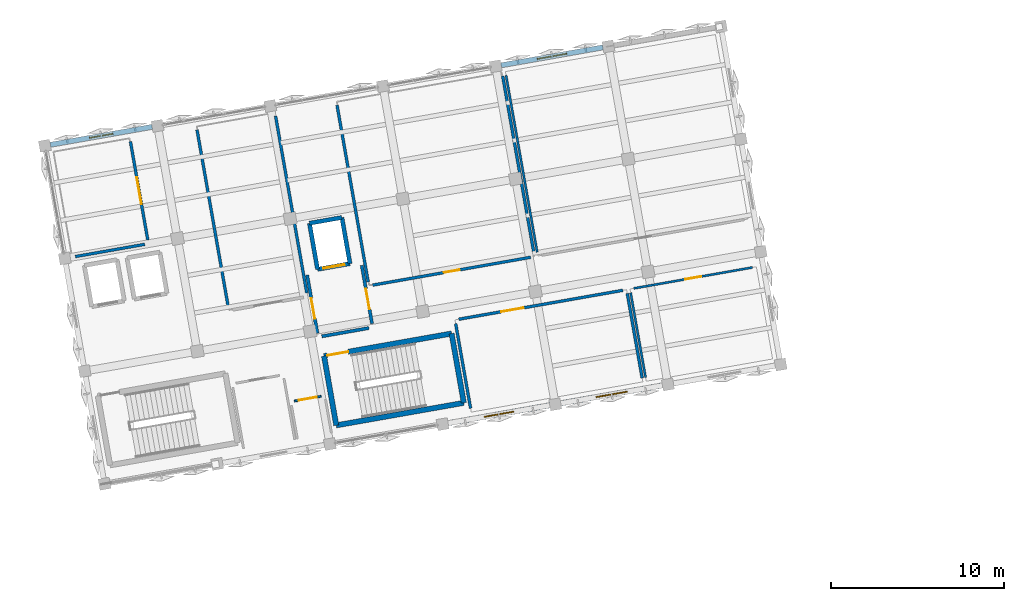
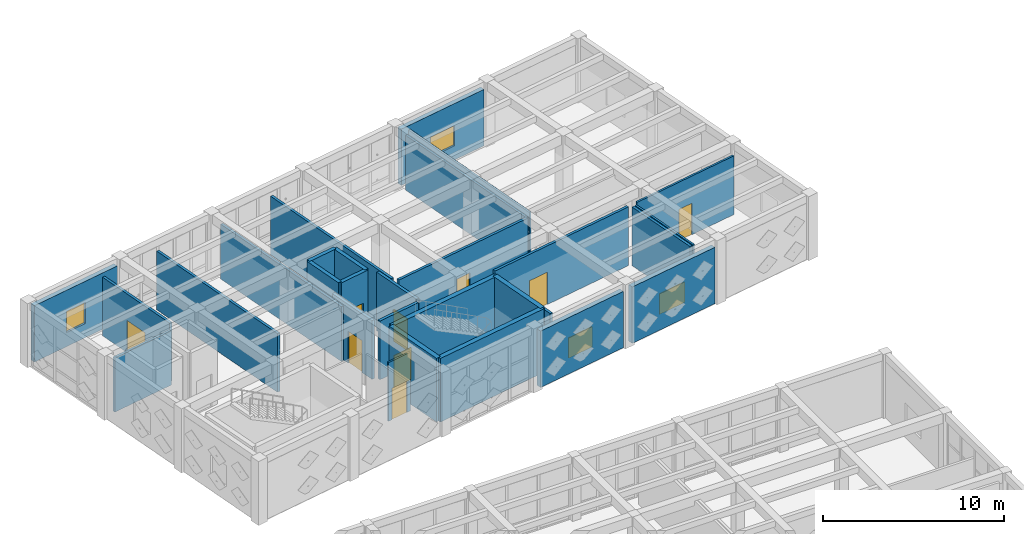
# One storey, part 38 of 48: 29 walls, 9 doors, 4 windows, 13 openings.
"""IFC4 building model written with IfcOpenShell, lengths in metres."""

from ifc_helpers import new_model, si_unit, direction, frame, frame_2d, origin, place, context, subcontext, project, spatial, rectangle, extrude, material, layer, layer_set, type_object, element, fill, save


model = new_model("IFC4")

# Units and contexts
model_context = context("Model", 3, precision=1e-05, world=origin(), true_north=direction((0.0, 1.0)))
body_context = subcontext(model_context, "Body", "Model", "MODEL_VIEW")
ifc_project = project(units=[si_unit("LENGTHUNIT", "METRE"), si_unit("AREAUNIT", "SQUARE_METRE"), si_unit("VOLUMEUNIT", "CUBIC_METRE"), si_unit("PLANEANGLEUNIT", "RADIAN"), si_unit("MASSUNIT", "GRAM", prefix="KILO")], contexts=[model_context])

# Site, building, storey
site_placement = place(None, origin())
site = spatial("IfcSite", under=ifc_project, at=site_placement, CompositionType="ELEMENT")
building_placement = place(site_placement, origin())
building = spatial("IfcBuilding", under=site, at=building_placement, Name="Kharisveld Research Institute", CompositionType="ELEMENT")
storey_placement = place(building_placement, frame((0.0, 0.0, 14.10009765625)))
storey = spatial("IfcBuildingStorey", under=building, at=storey_placement, Name="L03", CompositionType="ELEMENT", Elevation=14.10009765625)

# Walls
ifc_material_1 = material(Name="Concrete C40/50", Category="concrete")
ifc_layer_1 = layer(ifc_material_1, 0.239990234375)
ifc_layer_set_1 = layer_set([ifc_layer_1], Name="WL_CORE_240")
wall_type_1 = type_object("IfcWallType", Name="WL_CORE_240", PredefinedType="SHEAR", material=ifc_layer_set_1)
wall_1_placement = place(storey_placement, frame((17.48828125, 47.3818359375, 0.0), z_axis=(0.0, 0.0, 1.0), x_axis=(-0.173615102578, 0.98481358447, 0.0)))
element("IfcWall", 1, at=wall_1_placement, inside=storey, type_object=wall_type_1, Name="WL:LFT:FFL-01:L03:W", PredefinedType="SHEAR", context=body_context, shape_type="SweptSolid", body=[
    extrude(rectangle(XDim=2.699951171875, YDim=0.239990234375, at=frame_2d((1.35009765625, 0.0))), origin(), (0.0, 0.0, 1.0), 4.27978515625),
])
wall_2_placement = place(storey_placement, frame((17.01953125, 50.040771484375, 0.0), z_axis=(0.0, 0.0, 1.0), x_axis=(0.984815882103, 0.173602068988, 0.0)))
element("IfcWall", 2, at=wall_2_placement, inside=storey, type_object=wall_type_1, Name="WL:LFT:FFL-01:L03:N", PredefinedType="SHEAR", context=body_context, shape_type="SweptSolid", body=[
    extrude(rectangle(XDim=1.89990234375, YDim=0.239990234375, at=frame_2d((0.949951171875, 0.0))), origin(), (0.0, 0.0, 1.0), 4.27978515625),
])
wall_3_placement = place(storey_placement, frame((18.890625, 50.37060546875, 0.0), z_axis=(0.0, 0.0, 1.0), x_axis=(0.173615102578, -0.98481358447, 0.0)))
element("IfcWall", 3, at=wall_3_placement, inside=storey, type_object=wall_type_1, Name="WL:LFT:FFL-01:L03:E", PredefinedType="SHEAR", context=body_context, shape_type="SweptSolid", body=[
    extrude(rectangle(XDim=2.699951171875, YDim=0.239990234375, at=frame_2d((1.35009765625, 0.0))), origin(), (0.0, 0.0, 1.0), 4.27978515625),
])

# Wall, opening, door
wall_4_placement = place(storey_placement, frame((19.359375, 47.711669921875, 0.0), z_axis=(0.0, 0.0, 1.0), x_axis=(-0.984815882103, -0.173602068988, 0.0)))
wall_4 = element("IfcWall", 4, at=wall_4_placement, inside=storey, type_object=wall_type_1, Name="WL:LFT:FFL-01:L03:S", PredefinedType="SHEAR", context=body_context, shape_type="SweptSolid", body=[
    extrude(rectangle(XDim=1.89990234375, YDim=0.239990234375, at=frame_2d((0.949951171875, 0.0))), origin(), (0.0, 0.0, 1.0), 4.27978515625),
])
opening_1_placement = place(wall_4_placement, frame((0.324951171875, 0.0, 0.0)))
opening_1 = element("IfcOpeningElement", 5, at=opening_1_placement, cuts=wall_4, Name="Opening LD-02", PredefinedType="OPENING", context=body_context, shape_type="SweptSolid", body=[
    extrude(rectangle(XDim=1.25, YDim=2.199951171875, at=frame_2d((0.625, 1.10009765625))), frame((0.0, 0.1201171875, 0.0), z_axis=(0.0, -1.0, 0.0), x_axis=(1.0, 0.0, 0.0)), (0.0, 0.0, 1.0), 0.239990234375),
])
ifc_material_2 = material(Name="Flush Painted Hardwood and Anodised Aluminium", Category="wood")
door_type_1 = type_object("IfcDoorType", Name="DR_LFT_125", OperationType="SLIDING_TO_RIGHT", PredefinedType="DOOR", material=ifc_material_2)
door_1_placement = place(opening_1_placement, origin())
door_1 = element("IfcDoor", 6, at=door_1_placement, inside=storey, type_object=door_type_1, Name="FFL-01 Lift Landing Door L03", OperationType="SLIDING_TO_RIGHT", OverallHeight=2.199951171875, OverallWidth=1.25, PredefinedType="DOOR", context=body_context, shape_type="SweptSolid", body=[
    extrude(rectangle(XDim=1.25, YDim=2.199951171875, at=frame_2d((0.625, 1.10009765625))), frame((0.0, 0.02490234375, 0.0), z_axis=(0.0, -1.0, 0.0), x_axis=(1.0, 0.0, 0.0)), (0.0, 0.0, 1.0), 0.050048828125),
])
fill(opening_1, door_1)

# Wall
ifc_material_3 = material(Name="Concrete C40/50", Category="concrete")
ifc_layer_2 = layer(ifc_material_3, 0.300048828125)
ifc_layer_set_2 = layer_set([ifc_layer_2], Name="WL_CORE_300")
wall_type_2 = type_object("IfcWallType", Name="WL_CORE_300", PredefinedType="SHEAR", material=ifc_layer_set_2)
wall_5_placement = place(storey_placement, frame((18.5673828125, 38.382568359375, 0.0), z_axis=(0.0, 0.0, 1.0), x_axis=(-0.173606946886, 0.984815022221, 0.0)))
element("IfcWall", 7, at=wall_5_placement, inside=storey, type_object=wall_type_2, Name="WL:STR:ST2:L03:W", PredefinedType="SHEAR", context=body_context, shape_type="SweptSolid", body=[
    extrude(rectangle(XDim=4.06005859375, YDim=0.300048828125, at=frame_2d((2.030029296875, 0.0))), origin(), (0.0, 0.0, 1.0), 4.27978515625),
])

# Wall, opening, door
wall_6_placement = place(storey_placement, frame((17.862548828125, 42.380859375, 0.0), z_axis=(0.0, 0.0, 1.0), x_axis=(0.984808225754, 0.173645496596, 0.0)))
wall_6 = element("IfcWall", 8, at=wall_6_placement, inside=storey, type_object=wall_type_2, Name="WL:STR:ST2:L03:N", PredefinedType="SHEAR", context=body_context, shape_type="SweptSolid", body=[
    extrude(rectangle(XDim=7.469970703125, YDim=0.300048828125, at=frame_2d((3.73486328125, 0.0))), origin(), (0.0, 0.0, 1.0), 4.27978515625),
])
opening_2_placement = place(wall_6_placement, frame((0.179931640625, 0.0, 0.0)))
opening_2 = element("IfcOpeningElement", 9, at=opening_2_placement, cuts=wall_6, Name="Opening DS-018", PredefinedType="OPENING", context=body_context, shape_type="SweptSolid", body=[
    extrude(rectangle(XDim=1.239990234375, YDim=2.14990234375, at=frame_2d((0.6201171875, 1.074951171875))), frame((0.0, 0.14990234375, 0.0), z_axis=(0.0, -1.0, 0.0), x_axis=(1.0, 0.0, 0.0)), (0.0, 0.0, 1.0), 0.300048828125),
])
ifc_material_4 = material(Name="Flush Painted Hardwood and Anodised Aluminium", Category="wood")
door_type_2 = type_object("IfcDoorType", Name="DR_FD60_124", OperationType="NOTDEFINED", PredefinedType="DOOR", material=ifc_material_4)
door_2_placement = place(opening_2_placement, origin())
door_2 = element("IfcDoor", 10, at=door_2_placement, inside=storey, type_object=door_type_2, Name="DR:STR:ST2:L03", OperationType="SINGLE_SWING_LEFT", OverallHeight=2.14990234375, OverallWidth=1.239990234375, PredefinedType="DOOR", context=body_context, shape_type="SweptSolid", body=[
    extrude(rectangle(XDim=1.239990234375, YDim=2.14990234375, at=frame_2d((0.6201171875, 1.074951171875))), frame((0.0, 0.02490234375, 0.0), z_axis=(0.0, -1.0, 0.0), x_axis=(1.0, 0.0, 0.0)), (0.0, 0.0, 1.0), 0.050048828125),
])
fill(opening_2, door_2)

# Walls
wall_7_placement = place(storey_placement, frame((25.218994140625, 43.677978515625, 0.0), z_axis=(0.0, 0.0, 1.0), x_axis=(0.173665267602, -0.984804739443, 0.0)))
element("IfcWall", 11, at=wall_7_placement, inside=storey, type_object=wall_type_2, Name="WL:STR:ST2:L03:E", PredefinedType="SHEAR", context=body_context, shape_type="SweptSolid", body=[
    extrude(rectangle(XDim=4.06005859375, YDim=0.300048828125, at=frame_2d((2.030029296875, 0.0))), origin(), (0.0, 0.0, 1.0), 4.27978515625),
])
wall_8_placement = place(storey_placement, frame((25.924072265625, 39.6796875, 0.0), z_axis=(0.0, 0.0, 1.0), x_axis=(-0.984809211193, -0.173639907711, 0.0)))
element("IfcWall", 12, at=wall_8_placement, inside=storey, type_object=wall_type_2, Name="WL:STR:ST2:L03:S", PredefinedType="SHEAR", context=body_context, shape_type="SweptSolid", body=[
    extrude(rectangle(XDim=7.47021484375, YDim=0.300048828125, at=frame_2d((3.735107421875, 0.0))), origin(), (0.0, 0.0, 1.0), 4.27978515625),
])

# Wall, opening, window
ifc_material_5 = material(Name="Precast Concrete C40/50 Thermal Wall", Category="concrete")
ifc_layer_3 = layer(ifc_material_5, 0.2900390625)
ifc_layer_set_3 = layer_set([ifc_layer_3], Name="WL_EXT_290")
wall_type_3 = type_object("IfcWallType", Name="WL_EXT_290", PredefinedType="STANDARD", material=ifc_layer_set_3)
wall_9_placement = place(storey_placement, frame((2.076904296875, 54.564697265625, 0.0), z_axis=(0.0, 0.0, 1.0), x_axis=(0.98480829201, 0.173645120828, 0.0)))
wall_9 = element("IfcWall", 13, at=wall_9_placement, inside=storey, type_object=wall_type_3, Name="WL:V1:L03:N0", PredefinedType="STANDARD", context=body_context, shape_type="SweptSolid", body=[
    extrude(rectangle(XDim=5.9599609375, YDim=0.2900390625, at=frame_2d((2.97998046875, 0.0))), origin(), (0.0, 0.0, 1.0), 3.794921875),
])
opening_3_placement = place(wall_9_placement, frame((2.294921875, 0.0, 0.949951171875)))
opening_3 = element("IfcOpeningElement", 14, at=opening_3_placement, cuts=wall_9, Name="Opening WN-23", PredefinedType="OPENING", context=body_context, shape_type="SweptSolid", body=[
    extrude(rectangle(XDim=1.3701171875, YDim=1.419921875, at=frame_2d((0.68505859375, 0.7099609375))), frame((0.0, 0.14501953125, 0.0), z_axis=(0.0, -1.0, 0.0), x_axis=(1.0, 0.0, 0.0)), (0.0, 0.0, 1.0), 0.2900390625),
])
ifc_material_6 = material(Name="Low-E Double Glazing", Category="glass")
window_type_1 = type_object("IfcWindowType", Name="WN_23", PartitioningType="DOUBLE_PANEL_VERTICAL", PredefinedType="WINDOW", material=ifc_material_6)
window_1_placement = place(opening_3_placement, origin())
window_1 = element("IfcWindow", 15, at=window_1_placement, inside=storey, type_object=window_type_1, Name="WN:V1:L03:N0", OverallHeight=1.419921875, OverallWidth=1.3701171875, PartitioningType="SINGLE_PANEL", PredefinedType="WINDOW", context=body_context, shape_type="SweptSolid", body=[
    extrude(rectangle(XDim=1.3701171875, YDim=1.419921875, at=frame_2d((0.68505859375, 0.7099609375))), frame((0.0, 0.030029296875, 0.0), z_axis=(0.0, -1.0, 0.0), x_axis=(1.0, 0.0, 0.0)), (0.0, 0.0, 1.0), 0.06005859375),
])
fill(opening_3, window_1)

wall_10_placement = place(storey_placement, frame((28.075927734375, 59.149169921875, 0.0), z_axis=(0.0, 0.0, 1.0), x_axis=(0.98480829201, 0.173645120828, 0.0)))
wall_10 = element("IfcWall", 16, at=wall_10_placement, inside=storey, type_object=wall_type_3, Name="WL:V1:L03:N4", PredefinedType="STANDARD", context=body_context, shape_type="SweptSolid", body=[
    extrude(rectangle(XDim=5.9599609375, YDim=0.2900390625, at=frame_2d((2.97998046875, 0.0))), origin(), (0.0, 0.0, 1.0), 3.794921875),
])
opening_4_placement = place(wall_10_placement, frame((2.114990234375, 0.0, 0.949951171875)))
opening_4 = element("IfcOpeningElement", 17, at=opening_4_placement, cuts=wall_10, Name="Opening WN-27", PredefinedType="OPENING", context=body_context, shape_type="SweptSolid", body=[
    extrude(rectangle(XDim=1.72998046875, YDim=1.360107421875, at=frame_2d((0.864990234375, 0.68017578125))), frame((0.0, 0.14501953125, 0.0), z_axis=(0.0, -1.0, 0.0), x_axis=(1.0, 0.0, 0.0)), (0.0, 0.0, 1.0), 0.2900390625),
])
ifc_material_7 = material(Name="Low-E Double Glazing", Category="glass")
window_type_2 = type_object("IfcWindowType", Name="WN_27", PartitioningType="DOUBLE_PANEL_VERTICAL", PredefinedType="WINDOW", material=ifc_material_7)
window_2_placement = place(opening_4_placement, origin())
window_2 = element("IfcWindow", 18, at=window_2_placement, inside=storey, type_object=window_type_2, Name="WN:V1:L03:N4", OverallHeight=1.360107421875, OverallWidth=1.72998046875, PartitioningType="SINGLE_PANEL", PredefinedType="WINDOW", context=body_context, shape_type="SweptSolid", body=[
    extrude(rectangle(XDim=1.72998046875, YDim=1.360107421875, at=frame_2d((0.864990234375, 0.68017578125))), frame((0.0, 0.030029296875, 0.0), z_axis=(0.0, -1.0, 0.0), x_axis=(1.0, 0.0, 0.0)), (0.0, 0.0, 1.0), 0.06005859375),
])
fill(opening_4, window_2)

ifc_material_8 = material(Name="Precast Concrete C40/50 Ochre Panel", Category="concrete")
ifc_layer_4 = layer(ifc_material_8, 0.304931640625)
ifc_layer_set_4 = layer_set([ifc_layer_4], Name="WL_EXT_305")
wall_type_4 = type_object("IfcWallType", Name="WL_EXT_305", PredefinedType="STANDARD", material=ifc_layer_set_4)
wall_11_placement = place(storey_placement, frame((37.383544921875, 40.684814453125, 0.0), z_axis=(0.0, 0.0, 1.0), x_axis=(-0.98480829201, -0.173645120828, 0.0)))
wall_11 = element("IfcWall", 19, at=wall_11_placement, inside=storey, type_object=wall_type_4, Name="WL:V1:L03:S5", PredefinedType="STANDARD", context=body_context, shape_type="SweptSolid", body=[
    extrude(rectangle(XDim=5.9599609375, YDim=0.304931640625, at=frame_2d((2.97998046875, 0.0))), origin(), (0.0, 0.0, 1.0), 3.794921875),
])
opening_5_placement = place(wall_11_placement, frame((2.070068359375, 0.0, 0.949951171875)))
opening_5 = element("IfcOpeningElement", 20, at=opening_5_placement, cuts=wall_11, Name="Opening WN-28", PredefinedType="OPENING", context=body_context, shape_type="SweptSolid", body=[
    extrude(rectangle(XDim=1.820068359375, YDim=1.3798828125, at=frame_2d((0.91015625, 0.68994140625))), frame((0.0, 0.15234375, 0.0), z_axis=(0.0, -1.0, 0.0), x_axis=(1.0, 0.0, 0.0)), (0.0, 0.0, 1.0), 0.304931640625),
])
ifc_material_9 = material(Name="Low-E Double Glazing", Category="glass")
window_type_3 = type_object("IfcWindowType", Name="WN_28", PartitioningType="DOUBLE_PANEL_VERTICAL", PredefinedType="WINDOW", material=ifc_material_9)
window_3_placement = place(opening_5_placement, origin())
window_3 = element("IfcWindow", 21, at=window_3_placement, inside=storey, type_object=window_type_3, Name="WN:V1:L03:S5", OverallHeight=1.3798828125, OverallWidth=1.820068359375, PartitioningType="SINGLE_PANEL", PredefinedType="WINDOW", context=body_context, shape_type="SweptSolid", body=[
    extrude(rectangle(XDim=1.820068359375, YDim=1.3798828125, at=frame_2d((0.91015625, 0.68994140625))), frame((0.0, 0.030029296875, 0.0), z_axis=(0.0, -1.0, 0.0), x_axis=(1.0, 0.0, 0.0)), (0.0, 0.0, 1.0), 0.06005859375),
])
fill(opening_5, window_3)

wall_12_placement = place(storey_placement, frame((30.8837890625, 39.538818359375, 0.0), z_axis=(0.0, 0.0, 1.0), x_axis=(-0.98480829201, -0.173645120828, 0.0)))
wall_12 = element("IfcWall", 22, at=wall_12_placement, inside=storey, type_object=wall_type_4, Name="WL:V1:L03:S4", PredefinedType="STANDARD", context=body_context, shape_type="SweptSolid", body=[
    extrude(rectangle(XDim=5.9599609375, YDim=0.304931640625, at=frame_2d((2.97998046875, 0.0))), origin(), (0.0, 0.0, 1.0), 3.794921875),
])
opening_6_placement = place(wall_12_placement, frame((2.114990234375, 0.0, 0.949951171875)))
opening_6 = element("IfcOpeningElement", 23, at=opening_6_placement, cuts=wall_12, Name="Opening WN-27", PredefinedType="OPENING", context=body_context, shape_type="SweptSolid", body=[
    extrude(rectangle(XDim=1.72998046875, YDim=1.360107421875, at=frame_2d((0.864990234375, 0.68017578125))), frame((0.0, 0.15234375, 0.0), z_axis=(0.0, -1.0, 0.0), x_axis=(1.0, 0.0, 0.0)), (0.0, 0.0, 1.0), 0.304931640625),
])
window_4_placement = place(opening_6_placement, origin())
window_4 = element("IfcWindow", 24, at=window_4_placement, inside=storey, type_object=window_type_2, Name="WN:V1:L03:S4", OverallHeight=1.360107421875, OverallWidth=1.72998046875, PartitioningType="SINGLE_PANEL", PredefinedType="WINDOW", context=body_context, shape_type="SweptSolid", body=[
    extrude(rectangle(XDim=1.72998046875, YDim=1.360107421875, at=frame_2d((0.864990234375, 0.68017578125))), frame((0.0, 0.030029296875, 0.0), z_axis=(0.0, -1.0, 0.0), x_axis=(1.0, 0.0, 0.0)), (0.0, 0.0, 1.0), 0.06005859375),
])
fill(opening_6, window_4)

# Wall
ifc_material_10 = material(Name="Acoustic Drywall Partition", Category="mineral")
ifc_layer_5 = layer(ifc_material_10, 0.1650390625)
ifc_layer_set_5 = layer_set([ifc_layer_5], Name="WL_LAB_165")
wall_type_5 = type_object("IfcWallType", Name="WL_LAB_165", PredefinedType="PARTITIONING", material=ifc_layer_set_5)
wall_13_placement = place(storey_placement, frame((3.518310546875, 48.1171875, 0.0), z_axis=(0.0, 0.0, 1.0), x_axis=(0.984816834462, 0.173596666326, 0.0)))
element("IfcWall", 25, at=wall_13_placement, inside=storey, type_object=wall_type_5, Name="WL:RM:V1:L03:NW:S", PredefinedType="PARTITIONING", context=body_context, shape_type="SweptSolid", body=[
    extrude(rectangle(XDim=4.060302734375, YDim=0.1650390625, at=frame_2d((2.0302734375, 0.0))), origin(), (0.0, 0.0, 1.0), 3.64501953125),
])

# Wall, opening, door
wall_14_placement = place(storey_placement, frame((7.6953125, 49.076904296875, 0.0), z_axis=(0.0, 0.0, 1.0), x_axis=(-0.173649928941, 0.984807444214, 0.0)))
wall_14 = element("IfcWall", 26, at=wall_14_placement, inside=storey, type_object=wall_type_5, Name="WL:RM:V1:L03:NW:E", PredefinedType="PARTITIONING", context=body_context, shape_type="SweptSolid", body=[
    extrude(rectangle(XDim=5.760009765625, YDim=0.1650390625, at=frame_2d((2.8798828125, 0.0))), origin(), (0.0, 0.0, 1.0), 3.949951171875),
])
opening_7_placement = place(wall_14_placement, frame((2.094970703125, 0.0, 0.0)))
opening_7 = element("IfcOpeningElement", 27, at=opening_7_placement, cuts=wall_14, Name="Opening DI-095", PredefinedType="OPENING", context=body_context, shape_type="SweptSolid", body=[
    extrude(rectangle(XDim=1.570068359375, YDim=2.159912109375, at=frame_2d((0.78515625, 1.080078125))), frame((0.0, 0.08251953125, 0.0), z_axis=(0.0, -1.0, 0.0), x_axis=(1.0, 0.0, 0.0)), (0.0, 0.0, 1.0), 0.1650390625),
])
ifc_material_11 = material(Name="Flush Painted Hardwood and Anodised Aluminium", Category="wood")
door_type_3 = type_object("IfcDoorType", Name="DR_VAR_23", OperationType="NOTDEFINED", PredefinedType="DOOR", material=ifc_material_11)
door_3_placement = place(opening_7_placement, origin())
door_3 = element("IfcDoor", 28, at=door_3_placement, inside=storey, type_object=door_type_3, Name="DR:RM:V1:L03:NW:E", OperationType="SINGLE_SWING_RIGHT", OverallHeight=2.159912109375, OverallWidth=1.570068359375, PredefinedType="DOOR", context=body_context, shape_type="SweptSolid", body=[
    extrude(rectangle(XDim=1.570068359375, YDim=2.159912109375, at=frame_2d((0.78515625, 1.080078125))), frame((0.0, 0.02490234375, 0.0), z_axis=(0.0, -1.0, 0.0), x_axis=(1.0, 0.0, 0.0)), (0.0, 0.0, 1.0), 0.050048828125),
])
fill(opening_7, door_3)

# Walls
wall_15_placement = place(storey_placement, frame((16.86474609375, 46.02294921875, 0.0), z_axis=(0.0, 0.0, 1.0), x_axis=(-0.173632075677, 0.984810592092, 0.0)))
element("IfcWall", 29, at=wall_15_placement, inside=storey, type_object=wall_type_5, Name="WL:RM:V1:L03:N1:E", PredefinedType="PARTITIONING", context=body_context, shape_type="SweptSolid", body=[
    extrude(rectangle(XDim=10.360107421875, YDim=0.1650390625, at=frame_2d((5.18017578125, 0.0))), origin(), (0.0, 0.0, 1.0), 3.69482421875),
])
wall_16_placement = place(storey_placement, frame((10.53564453125, 55.4267578125, 0.0), z_axis=(0.0, 0.0, 1.0), x_axis=(0.173654930775, -0.984806562233, 0.0)))
element("IfcWall", 30, at=wall_16_placement, inside=storey, type_object=wall_type_5, Name="WL:RM:V1:L03:N1:W", PredefinedType="PARTITIONING", context=body_context, shape_type="SweptSolid", body=[
    extrude(rectangle(XDim=10.360107421875, YDim=0.1650390625, at=frame_2d((5.18017578125, 0.0))), origin(), (0.0, 0.0, 1.0), 3.949951171875),
])

# Wall, opening, door
wall_17_placement = place(storey_placement, frame((20.6650390625, 46.469482421875, 0.0), z_axis=(0.0, 0.0, 1.0), x_axis=(0.984804784872, 0.173665009985, 0.0)))
wall_17 = element("IfcWall", 31, at=wall_17_placement, inside=storey, type_object=wall_type_5, Name="WL:RM:V1:L03:N2:S", PredefinedType="PARTITIONING", context=body_context, shape_type="SweptSolid", body=[
    extrude(rectangle(XDim=9.260009765625, YDim=0.1650390625, at=frame_2d((4.6298828125, 0.0))), origin(), (0.0, 0.0, 1.0), 3.89501953125),
])
opening_8_placement = place(wall_17_placement, frame((4.175048828125, 0.0, 0.0)))
opening_8 = element("IfcOpeningElement", 32, at=opening_8_placement, cuts=wall_17, Name="Opening DI-097", PredefinedType="OPENING", context=body_context, shape_type="SweptSolid", body=[
    extrude(rectangle(XDim=0.909912109375, YDim=2.080078125, at=frame_2d((0.455078125, 1.0400390625))), frame((0.0, 0.08251953125, 0.0), z_axis=(0.0, -1.0, 0.0), x_axis=(1.0, 0.0, 0.0)), (0.0, 0.0, 1.0), 0.1650390625),
])
ifc_material_12 = material(Name="Flush Painted Hardwood and Anodised Aluminium", Category="wood")
door_type_4 = type_object("IfcDoorType", Name="DR_VAR_01", OperationType="NOTDEFINED", PredefinedType="DOOR", material=ifc_material_12)
door_4_placement = place(opening_8_placement, origin())
door_4 = element("IfcDoor", 33, at=door_4_placement, inside=storey, type_object=door_type_4, Name="DR:RM:V1:L03:N2:S", OperationType="SINGLE_SWING_RIGHT", OverallHeight=2.080078125, OverallWidth=0.909912109375, PredefinedType="DOOR", context=body_context, shape_type="SweptSolid", body=[
    extrude(rectangle(XDim=0.909912109375, YDim=2.080078125, at=frame_2d((0.455078125, 1.0400390625))), frame((0.0, 0.02490234375, 0.0), z_axis=(0.0, -1.0, 0.0), x_axis=(1.0, 0.0, 0.0)), (0.0, 0.0, 1.0), 0.050048828125),
])
fill(opening_8, door_4)

# Walls
wall_18_placement = place(storey_placement, frame((29.962890625, 48.33251953125, 0.0), z_axis=(0.0, 0.0, 1.0), x_axis=(-0.173658960975, 0.984805851563, 0.0)))
element("IfcWall", 34, at=wall_18_placement, inside=storey, type_object=wall_type_5, Name="WL:RM:V1:L03:N2:E", PredefinedType="PARTITIONING", context=body_context, shape_type="SweptSolid", body=[
    extrude(rectangle(XDim=10.35986328125, YDim=0.1650390625, at=frame_2d((5.179931640625, 0.0))), origin(), (0.0, 0.0, 1.0), 3.69482421875),
])
wall_19_placement = place(storey_placement, frame((18.611083984375, 56.8505859375, 0.0), z_axis=(0.0, 0.0, 1.0), x_axis=(0.173654930775, -0.984806562233, 0.0)))
element("IfcWall", 35, at=wall_19_placement, inside=storey, type_object=wall_type_5, Name="WL:RM:V1:L03:N2:W", PredefinedType="PARTITIONING", context=body_context, shape_type="SweptSolid", body=[
    extrude(rectangle(XDim=10.360107421875, YDim=0.1650390625, at=frame_2d((5.18017578125, 0.0))), origin(), (0.0, 0.0, 1.0), 3.949951171875),
])
wall_20_placement = place(storey_placement, frame((36.212158203125, 41.10791015625, 0.0), z_axis=(0.0, 0.0, 1.0), x_axis=(-0.173611232021, 0.984814266812, 0.0)))
element("IfcWall", 36, at=wall_20_placement, inside=storey, type_object=wall_type_5, Name="WL:RM:V1:L03:S1:E", PredefinedType="PARTITIONING", context=body_context, shape_type="SweptSolid", body=[
    extrude(rectangle(XDim=4.9599609375, YDim=0.1650390625, at=frame_2d((2.47998046875, 0.0))), origin(), (0.0, 0.0, 1.0), 3.949951171875),
])

# Wall, opening, door
wall_21_placement = place(storey_placement, frame((35.09619140625, 46.1708984375, 0.0), z_axis=(0.0, 0.0, 1.0), x_axis=(-0.98480912325, -0.173640406486, 0.0)))
wall_21 = element("IfcWall", 37, at=wall_21_placement, inside=storey, type_object=wall_type_5, Name="WL:RM:V1:L03:S1:N", PredefinedType="PARTITIONING", context=body_context, shape_type="SweptSolid", body=[
    extrude(rectangle(XDim=9.610107421875, YDim=0.1650390625, at=frame_2d((4.80517578125, 0.0))), origin(), (0.0, 0.0, 1.0), 3.949951171875),
])
opening_9_placement = place(wall_21_placement, frame((5.81689453125, 0.0, 0.0)))
opening_9 = element("IfcOpeningElement", 38, at=opening_9_placement, cuts=wall_21, Name="Opening DI-099", PredefinedType="OPENING", context=body_context, shape_type="SweptSolid", body=[
    extrude(rectangle(XDim=1.300048828125, YDim=2.179931640625, at=frame_2d((0.64990234375, 1.08984375))), frame((0.0, 0.08251953125, 0.0), z_axis=(0.0, -1.0, 0.0), x_axis=(1.0, 0.0, 0.0)), (0.0, 0.0, 1.0), 0.1650390625),
])
ifc_material_13 = material(Name="Flush Painted Hardwood and Anodised Aluminium", Category="wood")
door_type_5 = type_object("IfcDoorType", Name="DR_SEM_130", OperationType="DOUBLE_DOOR_SINGLE_SWING", PredefinedType="DOOR", material=ifc_material_13)
door_5_placement = place(opening_9_placement, origin())
door_5 = element("IfcDoor", 39, at=door_5_placement, inside=storey, type_object=door_type_5, Name="DR:RM:V1:L03:S1:N", OperationType="DOUBLE_DOOR_SINGLE_SWING", OverallHeight=2.179931640625, OverallWidth=1.300048828125, PredefinedType="DOOR", context=body_context, shape_type="SweptSolid", body=[
    extrude(rectangle(XDim=1.300048828125, YDim=2.179931640625, at=frame_2d((0.64990234375, 1.08984375))), frame((0.0, 0.02490234375, 0.0), z_axis=(0.0, -1.0, 0.0), x_axis=(1.0, 0.0, 0.0)), (0.0, 0.0, 1.0), 0.050048828125),
])
fill(opening_9, door_5)

# Walls
wall_22_placement = place(storey_placement, frame((25.45361328125, 44.247314453125, 0.0), z_axis=(0.0, 0.0, 1.0), x_axis=(0.173658971256, -0.98480584975, 0.0)))
element("IfcWall", 40, at=wall_22_placement, inside=storey, type_object=wall_type_5, Name="WL:RM:V1:L03:S1:W", PredefinedType="PARTITIONING", context=body_context, shape_type="SweptSolid", body=[
    extrude(rectangle(XDim=4.9599609375, YDim=0.1650390625, at=frame_2d((2.47998046875, 0.0))), origin(), (0.0, 0.0, 1.0), 3.949951171875),
])
ifc_material_14 = material(Name="Masonry Blockwork", Category="masonry")
ifc_layer_6 = layer(ifc_material_14, 0.18505859375)
ifc_layer_set_6 = layer_set([ifc_layer_6], Name="WL_LOB_185")
wall_type_6 = type_object("IfcWallType", Name="WL_LOB_185", PredefinedType="SOLIDWALL", material=ifc_layer_set_6)
wall_23_placement = place(storey_placement, frame((17.7333984375, 43.515625, 0.0), z_axis=(0.0, 0.0, 1.0), x_axis=(0.984808483292, 0.173644035992, 0.0)))
element("IfcWall", 41, at=wall_23_placement, inside=storey, type_object=wall_type_6, Name="WL:RM:V1:L03:FFL:S", PredefinedType="SOLIDWALL", context=body_context, shape_type="SweptSolid", body=[
    extrude(rectangle(XDim=2.760009765625, YDim=0.18505859375, at=frame_2d((1.3798828125, 0.0))), origin(), (0.0, 0.0, 1.0), 3.949951171875),
])

# Wall, opening, door
wall_24_placement = place(storey_placement, frame((20.6298828125, 44.249755859375, 0.0), z_axis=(0.0, 0.0, 1.0), x_axis=(-0.173621956536, 0.984812376145, 0.0)))
wall_24 = element("IfcWall", 42, at=wall_24_placement, inside=storey, type_object=wall_type_6, Name="WL:RM:V1:L03:FFL:E", PredefinedType="SOLIDWALL", context=body_context, shape_type="SweptSolid", body=[
    extrude(rectangle(XDim=3.409912109375, YDim=0.18505859375, at=frame_2d((1.705078125, 0.0))), origin(), (0.0, 0.0, 1.0), 3.949951171875),
])
opening_10_placement = place(wall_24_placement, frame((0.85009765625, 0.0, 0.0)))
opening_10 = element("IfcOpeningElement", 43, at=opening_10_placement, cuts=wall_24, Name="Opening DI-091", PredefinedType="OPENING", context=body_context, shape_type="SweptSolid", body=[
    extrude(rectangle(XDim=1.199951171875, YDim=2.14990234375, at=frame_2d((0.60009765625, 1.074951171875))), frame((0.0, 0.092529296875, 0.0), z_axis=(0.0, -1.0, 0.0), x_axis=(1.0, 0.0, 0.0)), (0.0, 0.0, 1.0), 0.18505859375),
])
ifc_material_15 = material(Name="Flush Painted Hardwood and Anodised Aluminium", Category="wood")
door_type_6 = type_object("IfcDoorType", Name="DR_FD120_120", OperationType="NOTDEFINED", PredefinedType="DOOR", material=ifc_material_15)
door_6_placement = place(opening_10_placement, origin())
door_6 = element("IfcDoor", 44, at=door_6_placement, inside=storey, type_object=door_type_6, Name="DR:RM:V1:L03:FFL:E", OperationType="SINGLE_SWING_RIGHT", OverallHeight=2.14990234375, OverallWidth=1.199951171875, PredefinedType="DOOR", context=body_context, shape_type="SweptSolid", body=[
    extrude(rectangle(XDim=1.199951171875, YDim=2.14990234375, at=frame_2d((0.60009765625, 1.074951171875))), frame((0.0, 0.02490234375, 0.0), z_axis=(0.0, -1.0, 0.0), x_axis=(1.0, 0.0, 0.0)), (0.0, 0.0, 1.0), 0.050048828125),
])
fill(opening_10, door_6)

wall_25_placement = place(storey_placement, frame((16.886474609375, 47.05224609375, 0.0), z_axis=(0.0, 0.0, 1.0), x_axis=(0.173621956536, -0.984812376145, 0.0)))
wall_25 = element("IfcWall", 45, at=wall_25_placement, inside=storey, type_object=wall_type_6, Name="WL:RM:V1:L03:FFL:W", PredefinedType="SOLIDWALL", context=body_context, shape_type="SweptSolid", body=[
    extrude(rectangle(XDim=3.409912109375, YDim=0.18505859375, at=frame_2d((1.705078125, 0.0))), origin(), (0.0, 0.0, 1.0), 3.949951171875),
])
opening_11_placement = place(wall_25_placement, frame((1.360107421875, 0.0, 0.0)))
opening_11 = element("IfcOpeningElement", 46, at=opening_11_placement, cuts=wall_25, Name="Opening DI-092", PredefinedType="OPENING", context=body_context, shape_type="SweptSolid", body=[
    extrude(rectangle(XDim=1.199951171875, YDim=2.14990234375, at=frame_2d((0.60009765625, 1.074951171875))), frame((0.0, 0.092529296875, 0.0), z_axis=(0.0, -1.0, 0.0), x_axis=(1.0, 0.0, 0.0)), (0.0, 0.0, 1.0), 0.18505859375),
])
door_7_placement = place(opening_11_placement, origin())
door_7 = element("IfcDoor", 47, at=door_7_placement, inside=storey, type_object=door_type_6, Name="DR:RM:V1:L03:FFL:W", OperationType="SINGLE_SWING_LEFT", OverallHeight=2.14990234375, OverallWidth=1.199951171875, PredefinedType="DOOR", context=body_context, shape_type="SweptSolid", body=[
    extrude(rectangle(XDim=1.199951171875, YDim=2.14990234375, at=frame_2d((0.60009765625, 1.074951171875))), frame((0.0, 0.02490234375, 0.0), z_axis=(0.0, -1.0, 0.0), x_axis=(1.0, 0.0, 0.0)), (0.0, 0.0, 1.0), 0.050048828125),
])
fill(opening_11, door_7)

# Wall
ifc_material_16 = material(Name="Insulated Stud Partition", Category="mineral")
ifc_layer_7 = layer(ifc_material_16, 0.125)
ifc_layer_set_7 = layer_set([ifc_layer_7], Name="WL_OFF_125")
wall_type_7 = type_object("IfcWallType", Name="WL_OFF_125", PredefinedType="PARTITIONING", material=ifc_layer_set_7)
wall_26_placement = place(storey_placement, frame((28.36083984375, 58.56982421875, 0.0), z_axis=(0.0, 0.0, 1.0), x_axis=(0.173632075677, -0.984810592092, 0.0)))
element("IfcWall", 48, at=wall_26_placement, inside=storey, type_object=wall_type_7, Name="WL:RM:V1:L03:N3:W", PredefinedType="PARTITIONING", context=body_context, shape_type="SweptSolid", body=[
    extrude(rectangle(XDim=10.360107421875, YDim=0.125, at=frame_2d((5.18017578125, 0.0))), origin(), (0.0, 0.0, 1.0), 3.949951171875),
])

# Wall, opening, door
wall_27_placement = place(storey_placement, frame((42.58056640625, 47.49072265625, 0.0), z_axis=(0.0, 0.0, 1.0), x_axis=(-0.984804033539, -0.173669270527, 0.0)))
wall_27 = element("IfcWall", 49, at=wall_27_placement, inside=storey, type_object=wall_type_7, Name="WL:RM:V1:L03:S2:N", PredefinedType="PARTITIONING", context=body_context, shape_type="SweptSolid", body=[
    extrude(rectangle(XDim=6.9599609375, YDim=0.125, at=frame_2d((3.47998046875, 0.0))), origin(), (0.0, 0.0, 1.0), 3.949951171875),
])
opening_12_placement = place(wall_27_placement, frame((3.010009765625, 0.0, 0.0)))
opening_12 = element("IfcOpeningElement", 50, at=opening_12_placement, cuts=wall_27, Name="Opening DI-100", PredefinedType="OPENING", context=body_context, shape_type="SweptSolid", body=[
    extrude(rectangle(XDim=0.93994140625, YDim=2.1201171875, at=frame_2d((0.469970703125, 1.06005859375))), frame((0.0, 0.0625, 0.0), z_axis=(0.0, -1.0, 0.0), x_axis=(1.0, 0.0, 0.0)), (0.0, 0.0, 1.0), 0.125),
])
ifc_material_17 = material(Name="Flush Painted Hardwood and Anodised Aluminium", Category="wood")
door_type_7 = type_object("IfcDoorType", Name="DR_OFF_094", OperationType="NOTDEFINED", PredefinedType="DOOR", material=ifc_material_17)
door_8_placement = place(opening_12_placement, origin())
door_8 = element("IfcDoor", 51, at=door_8_placement, inside=storey, type_object=door_type_7, Name="DR:RM:V1:L03:S2:N", OperationType="SINGLE_SWING_RIGHT", OverallHeight=2.1201171875, OverallWidth=0.93994140625, PredefinedType="DOOR", context=body_context, shape_type="SweptSolid", body=[
    extrude(rectangle(XDim=0.93994140625, YDim=2.1201171875, at=frame_2d((0.469970703125, 1.06005859375))), frame((0.0, 0.02490234375, 0.0), z_axis=(0.0, -1.0, 0.0), x_axis=(1.0, 0.0, 0.0)), (0.0, 0.0, 1.0), 0.050048828125),
])
fill(opening_12, door_8)

# Wall
wall_28_placement = place(storey_placement, frame((35.5478515625, 46.02734375, 0.0), z_axis=(0.0, 0.0, 1.0), x_axis=(0.173650553511, -0.984807334084, 0.0)))
element("IfcWall", 52, at=wall_28_placement, inside=storey, type_object=wall_type_7, Name="WL:RM:V1:L03:S2:W", PredefinedType="PARTITIONING", context=body_context, shape_type="SweptSolid", body=[
    extrude(rectangle(XDim=4.960205078125, YDim=0.125, at=frame_2d((2.47998046875, 0.0))), origin(), (0.0, 0.0, 1.0), 3.949951171875),
])

# Wall, opening, door
ifc_material_18 = material(Name="Moisture-Resistant Partition", Category="mineral")
ifc_layer_8 = layer(ifc_material_18, 0.114990234375)
ifc_layer_set_8 = layer_set([ifc_layer_8], Name="WL_WC_115")
wall_type_8 = type_object("IfcWallType", Name="WL_WC_115", PredefinedType="PARTITIONING", material=ifc_layer_set_8)
wall_29_placement = place(storey_placement, frame((17.693603515625, 40.05615234375, 0.0), z_axis=(0.0, 0.0, 1.0), x_axis=(-0.984797734253, -0.173704987291, 0.0)))
wall_29 = element("IfcWall", 53, at=wall_29_placement, inside=storey, type_object=wall_type_8, Name="WL:RM:V1:L03:WCA:N", PredefinedType="PARTITIONING", context=body_context, shape_type="SweptSolid", body=[
    extrude(rectangle(XDim=1.56005859375, YDim=0.114990234375, at=frame_2d((0.780029296875, 0.0))), origin(), (0.0, 0.0, 1.0), 3.949951171875),
])
opening_13_placement = place(wall_29_placement, frame((0.25, 0.0, 0.0)))
opening_13 = element("IfcOpeningElement", 54, at=opening_13_placement, cuts=wall_29, Name="Opening DI-094", PredefinedType="OPENING", context=body_context, shape_type="SweptSolid", body=[
    extrude(rectangle(XDim=1.06005859375, YDim=2.1201171875, at=frame_2d((0.530029296875, 1.06005859375))), frame((0.0, 0.0576171875, 0.0), z_axis=(0.0, -1.0, 0.0), x_axis=(1.0, 0.0, 0.0)), (0.0, 0.0, 1.0), 0.114990234375),
])
ifc_material_19 = material(Name="Flush Painted Hardwood and Anodised Aluminium", Category="wood")
door_type_8 = type_object("IfcDoorType", Name="DR_WCA_106", OperationType="NOTDEFINED", PredefinedType="DOOR", material=ifc_material_19)
door_9_placement = place(opening_13_placement, origin())
door_9 = element("IfcDoor", 55, at=door_9_placement, inside=storey, type_object=door_type_8, Name="DR:RM:V1:L03:WCA:N", OperationType="SINGLE_SWING_LEFT", OverallHeight=2.1201171875, OverallWidth=1.06005859375, PredefinedType="DOOR", context=body_context, shape_type="SweptSolid", body=[
    extrude(rectangle(XDim=1.06005859375, YDim=2.1201171875, at=frame_2d((0.530029296875, 1.06005859375))), frame((0.0, 0.02490234375, 0.0), z_axis=(0.0, -1.0, 0.0), x_axis=(1.0, 0.0, 0.0)), (0.0, 0.0, 1.0), 0.050048828125),
])
fill(opening_13, door_9)

save(model, "model.ifc")
